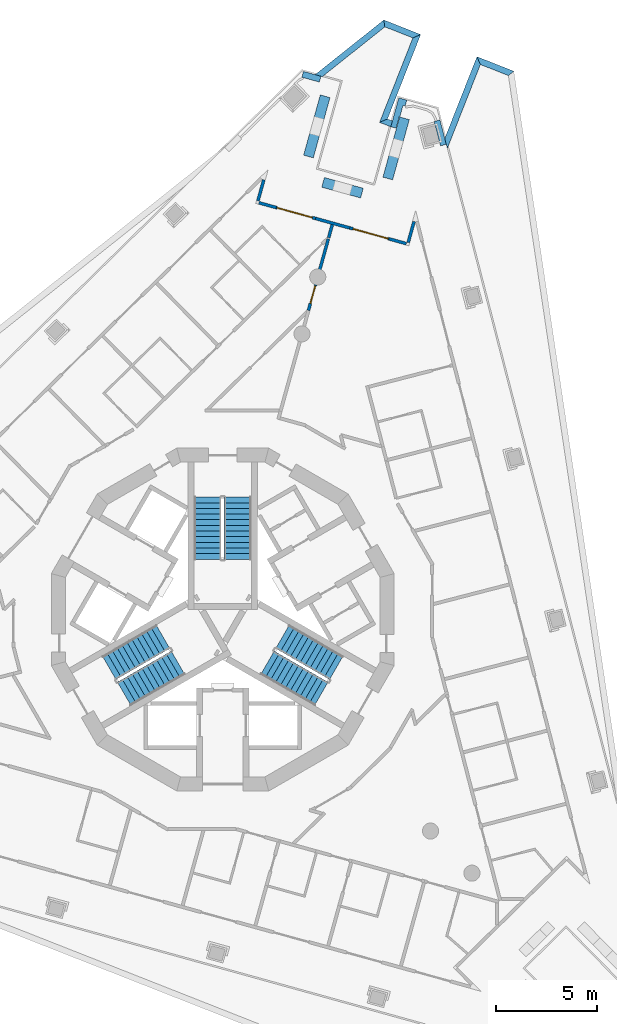
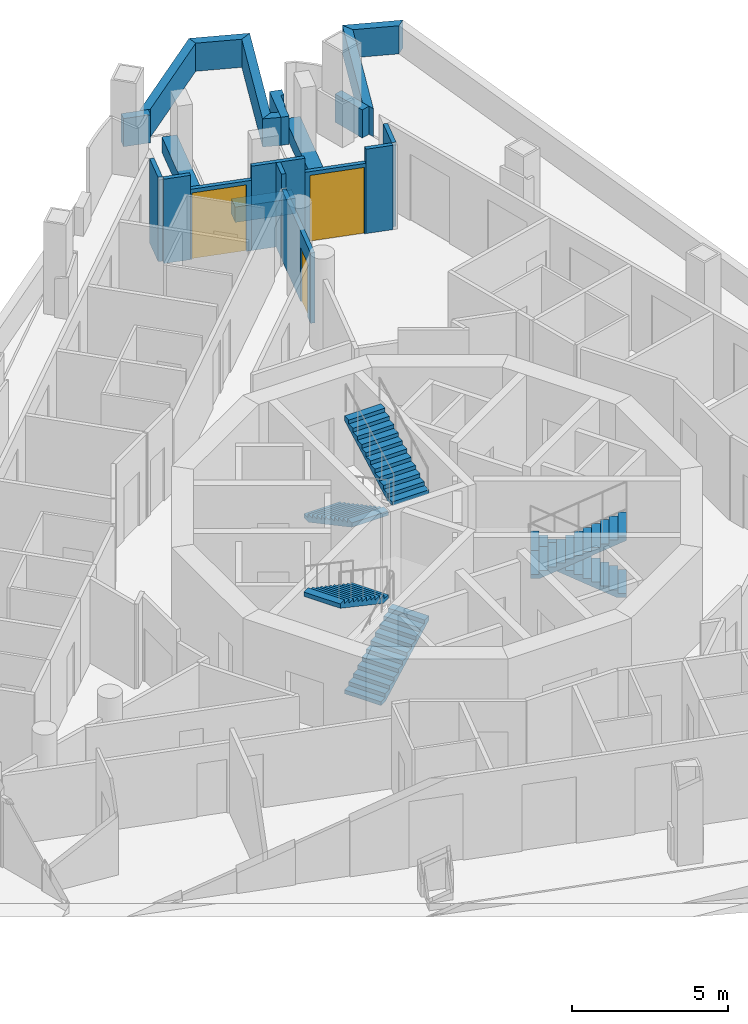
# One storey, part 9 of 14: 21 walls, 6 stair flights, 3 doors, 3 openings, 3 elements without a shape of their own.
"""IFC4 building model written with IfcOpenShell, lengths in metres."""

import ifcopenshell
import ifcopenshell.guid

model = None  # the IFC model being written
_history = None  # IfcOwnerHistory: only IFC2X3 demands one
_inside = {}  # id of a spatial element -> (the spatial element, [elements in it])
_under = {}  # id of a project, library or spatial element -> (it, [spatial elements below it])
_declared = {}  # id of a project -> (the project, [libraries it declares])
_typed = {}  # id of a type object -> (the type object, [elements of that type])
_made_of = {}  # id of a material, layer set ... -> (it, [elements and type objects made of it])


def new_model(schema):
    """Start an empty IFC model of exactly this schema.

    Asked for "IFC4X3", IfcOpenShell would pick the latest addendum, in which some entities
    have other attributes; the version numbers below select the first issue.
    IFC2X3 requires an IfcOwnerHistory on every rooted entity: one is made here for all.
    """
    global model, _history
    if schema == "IFC4X3":
        model = ifcopenshell.file(schema_version=(4, 3, 0, 0))
    else:
        model = ifcopenshell.file(schema=schema)
    _inside.clear()
    _under.clear()
    _declared.clear()
    _typed.clear()
    _made_of.clear()
    _history = None
    if model.schema == "IFC2X3":
        org = make("IfcOrganization", Name="unknown")
        user = make(
            "IfcPersonAndOrganization",
            ThePerson=make("IfcPerson", FamilyName="unknown"),
            TheOrganization=org,
        )
        app = make(
            "IfcApplication",
            ApplicationDeveloper=org,
            Version="unknown",
            ApplicationFullName="unknown",
            ApplicationIdentifier="unknown",
        )
        _history = make(
            "IfcOwnerHistory",
            OwningUser=user,
            OwningApplication=app,
            ChangeAction="ADDED",
            CreationDate=0,
        )
    return model


def make(cls, **values):
    """One entity of the class cls with the attributes given. An attribute that is None is left unset."""
    return model.create_entity(
        cls, **{name: value for name, value in values.items() if value is not None}
    )


def rooted(cls, **values):
    """An entity with a GlobalId (a new one), such as an element, a storey or a relation."""
    return make(cls, GlobalId=ifcopenshell.guid.new(), OwnerHistory=_history, **values)


def si_unit(unit_type, name, prefix=None):
    """IfcSIUnit, for example si_unit("LENGTHUNIT", "METRE", prefix="MILLI")."""
    return make("IfcSIUnit", UnitType=unit_type, Prefix=prefix, Name=name)


def assignment(units):
    """IfcUnitAssignment: the units of a project."""
    return None if units is None else make("IfcUnitAssignment", Units=units)


def point(xyz):
    """IfcCartesianPoint."""
    return None if xyz is None else make("IfcCartesianPoint", Coordinates=xyz)


def direction(xyz):
    """IfcDirection."""
    return None if xyz is None else make("IfcDirection", DirectionRatios=xyz)


def frame(location, z_axis=None, x_axis=None):
    """IfcAxis2Placement3D, a coordinate frame: its origin and axes. An axis left out is left unset."""
    return make(
        "IfcAxis2Placement3D",
        Location=point(location),
        Axis=direction(z_axis),
        RefDirection=direction(x_axis),
    )


def frame_2d(location, x_axis=None):
    """IfcAxis2Placement2D, a coordinate frame in the plane: its origin and x axis."""
    return make(
        "IfcAxis2Placement2D", Location=point(location), RefDirection=direction(x_axis)
    )


def origin():
    """The frame at (0, 0, 0) with its axes left unset."""
    return frame((0.0, 0.0, 0.0))


def place(relative_to, where):
    """IfcLocalPlacement: puts the frame where relative to a parent placement (None: the world)."""
    return make(
        "IfcLocalPlacement", PlacementRelTo=relative_to, RelativePlacement=where
    )


def context(
    kind, dimensions, precision=None, world=None, true_north=None, identifier=None
):
    """IfcGeometricRepresentationContext, for example the 3D "Model" context."""
    return make(
        "IfcGeometricRepresentationContext",
        ContextIdentifier=identifier,
        ContextType=kind,
        CoordinateSpaceDimension=dimensions,
        Precision=precision,
        WorldCoordinateSystem=world,
        TrueNorth=true_north,
    )


def subcontext(parent, identifier, kind, view, scale=None):
    """IfcGeometricRepresentationSubContext, for example "Body" below "Model"."""
    return make(
        "IfcGeometricRepresentationSubContext",
        ContextIdentifier=identifier,
        ContextType=kind,
        ParentContext=parent,
        TargetScale=scale,
        TargetView=view,
    )


def project(units=None, contexts=None):
    """IfcProject with its units and contexts."""
    return rooted(
        "IfcProject",
        Name="project",
        RepresentationContexts=contexts,
        UnitsInContext=assignment(units),
    )


def spatial(cls, under=None, at=None, **own):
    """A site, building, storey or space (cls), placed at a placement, below another one or the project."""
    s = rooted(cls, ObjectPlacement=at, **own)
    if under is not None:
        _under.setdefault(under.id(), (under, []))[1].append(s)
    return s


def polyline(points):
    """IfcPolyline through the points."""
    return make("IfcPolyline", Points=[point(p) for p in points])


def profile(cls, at=None, kind="AREA", **sizes):
    """A parametric profile (cls). Its sizes go by their IFC names, for example OverallWidth=200.0."""
    return make(cls, ProfileType=kind, Position=at, **sizes)


def rectangle(**sizes):
    """IfcRectangleProfileDef."""
    return profile("IfcRectangleProfileDef", **sizes)


def outline(outer, holes=None, kind="AREA"):
    """IfcArbitraryClosedProfileDef: a profile drawn as a closed curve; with holes, ...WithVoids."""
    if holes is None:
        return make("IfcArbitraryClosedProfileDef", ProfileType=kind, OuterCurve=outer)
    return make(
        "IfcArbitraryProfileDefWithVoids",
        ProfileType=kind,
        OuterCurve=outer,
        InnerCurves=holes,
    )


def extrude(swept, where, along, depth):
    """IfcExtrudedAreaSolid: the profile swept, set in the frame where, extruded along a direction by depth."""
    return make(
        "IfcExtrudedAreaSolid",
        SweptArea=swept,
        Position=where,
        ExtrudedDirection=direction(along),
        Depth=depth,
    )


def shape(context_of_items, identifier, shape_type, items):
    """IfcShapeRepresentation: the items that make up one representation, for example the "Body"."""
    return make(
        "IfcShapeRepresentation",
        ContextOfItems=context_of_items,
        RepresentationIdentifier=identifier,
        RepresentationType=shape_type,
        Items=items,
    )


def material(Name=None, Category=None):
    """IfcMaterial."""
    return make("IfcMaterial", Name=Name, Category=Category)


def layer(
    of_material, thickness, ventilated=None, Name=None, Category=None, Priority=None
):
    """IfcMaterialLayer: one layer of a wall or slab, of a material (None: an air gap)."""
    return make(
        "IfcMaterialLayer",
        Material=of_material,
        LayerThickness=thickness,
        IsVentilated=ventilated,
        Name=Name,
        Category=Category,
        Priority=Priority,
    )


def layer_set(layers, Name=None):
    """IfcMaterialLayerSet."""
    return make("IfcMaterialLayerSet", MaterialLayers=layers, LayerSetName=Name)


def made_of(thing, what):
    """Note that an element or type object is made of a material, layer set ...; save() writes the relation."""
    if what is not None:
        _made_of.setdefault(what.id(), (what, []))[1].append(thing)
    return thing


def type_object(cls, material=None, **own):
    """A type object (cls), such as IfcWallType, which elements share."""
    return made_of(rooted(cls, **own), material)


def element(
    cls,
    number,
    at=None,
    inside=None,
    cuts=None,
    type_object=None,
    material=None,
    context=None,
    identifier="Body",
    shape_type=None,
    held_by="IfcProductDefinitionShape",
    body=None,
    shapes=None,
    **own,
):
    """One element of the class cls, such as IfcWall. Its Tag is "e" and its number.

    at: its placement. inside: the storey or other place that contains it. cuts: it is an
    opening in that element (IfcRelVoidsElement). A single representation is given by context,
    identifier, shape_type and body (its items); several are given by shapes. held_by: the class
    of the entity that holds the representations. save() writes the other relations.
    """
    e = rooted(cls, Tag="e%d" % number, ObjectPlacement=at, **own)
    if body is not None:
        shapes = [shape(context, identifier, shape_type, body)]
    if shapes is not None:
        e.Representation = make(held_by, Representations=shapes)
    if inside is not None:
        _inside.setdefault(inside.id(), (inside, []))[1].append(e)
    if cuts is not None:
        rooted(
            "IfcRelVoidsElement", RelatingBuildingElement=cuts, RelatedOpeningElement=e
        )
    if type_object is not None:
        _typed.setdefault(type_object.id(), (type_object, []))[1].append(e)
    return made_of(e, material)


def fill(opening, filler):
    """IfcRelFillsElement: the door or window that sits in an opening."""
    return rooted(
        "IfcRelFillsElement",
        RelatingOpeningElement=opening,
        RelatedBuildingElement=filler,
    )


def aggregate(whole, parts):
    """IfcRelAggregates: a whole, such as a stair, and the parts it consists of."""
    return rooted("IfcRelAggregates", RelatingObject=whole, RelatedObjects=parts)


def save(model, path):
    """Write the relations noted so far, then the file.

    IfcRelAggregates (storeys below a building ...), IfcRelContainedInSpatialStructure (elements
    in a storey), IfcRelDefinesByType, IfcRelAssociatesMaterial and IfcRelDeclares: one each for
    every whole, place, type object, material and project.
    """
    for whole, parts in _under.values():
        aggregate(whole, parts)
    for where, things in _inside.values():
        rooted(
            "IfcRelContainedInSpatialStructure",
            RelatedElements=things,
            RelatingStructure=where,
        )
    for kind, things in _typed.values():
        rooted("IfcRelDefinesByType", RelatedObjects=things, RelatingType=kind)
    for what, things in _made_of.values():
        rooted("IfcRelAssociatesMaterial", RelatedObjects=things, RelatingMaterial=what)
    for by, libraries in _declared.values():
        rooted("IfcRelDeclares", RelatingContext=by, RelatedDefinitions=libraries)
    model.write(path)


model = new_model("IFC4")

# Units and contexts
model_context = context("Model", 3, precision=1e-05, world=origin(), true_north=direction((0.0, 1.0)))
body_context = subcontext(model_context, "Body", "Model", "MODEL_VIEW")
ifc_project = project(units=[si_unit("LENGTHUNIT", "METRE"), si_unit("AREAUNIT", "SQUARE_METRE"), si_unit("VOLUMEUNIT", "CUBIC_METRE"), si_unit("PLANEANGLEUNIT", "RADIAN"), si_unit("MASSUNIT", "GRAM", prefix="KILO")], contexts=[model_context])

# Site, building, storey
site_placement = place(None, origin())
site = spatial("IfcSite", under=ifc_project, at=site_placement, CompositionType="ELEMENT")
building_placement = place(site_placement, origin())
building = spatial("IfcBuilding", under=site, at=building_placement, Name="Trine Commons Tower", CompositionType="ELEMENT")
storey_placement = place(building_placement, frame((0.0, 0.0, 234.89990234375)))
storey = spatial("IfcBuildingStorey", under=building, at=storey_placement, Name="L61", CompositionType="ELEMENT", Elevation=234.89990234375)

# Walls
ifc_material_1 = material(Name="Aluminium-framed insulated wall panel", Category="aluminium")
ifc_layer_1 = layer(ifc_material_1, 0.14990234375)
ifc_layer_set_1 = layer_set([ifc_layer_1], Name="Aluminium-framed insulated wall panel")
wall_type_1 = type_object("IfcWallType", Name="Glazed frame wall 150, EI 60", PredefinedType="SOLIDWALL", material=ifc_layer_set_1)
wall_1_placement = place(storey_placement, frame((82.07470703125, 84.444091796875, 0.0), z_axis=(0.0, 0.0, 1.0), x_axis=(-0.267185113528, -0.963645222636, 0.0)))
element("IfcWall", 1, at=wall_1_placement, inside=storey, type_object=wall_type_1, Name="Glazed frame wall R2", PredefinedType="SOLIDWALL", context=body_context, shape_type="SweptSolid", body=[
    extrude(outline(polyline([(0.1494140625, 0.074951171875), (0.1494140625, -0.074951171875), (1.235107421875, -0.074951171875), (1.235107421875, 0.074951171875), (0.1494140625, 0.074951171875)])), origin(), (0.0, 0.0, 1.0), 3.300048828125),
])
wall_2_placement = place(storey_placement, frame((81.69091796875, 83.19091796875, 0.0), z_axis=(0.0, 0.0, 1.0), x_axis=(0.963668166343, -0.267102349627, 0.0)))
element("IfcWall", 2, at=wall_2_placement, inside=storey, type_object=wall_type_1, Name="Glazed frame wall P1.1", PredefinedType="SOLIDWALL", context=body_context, shape_type="SweptSolid", body=[
    extrude(outline(polyline([(0.110107421875, -0.074951171875), (1.0, -0.074951171875), (1.0, 0.074951171875), (0.110107421875, 0.074951171875), (0.110107421875, -0.074951171875)])), origin(), (0.0, 0.0, 1.0), 3.300048828125),
])

# Wall, opening, door
wall_3_placement = place(storey_placement, frame((82.654541015625, 82.923828125, 0.0), z_axis=(0.0, 0.0, 1.0), x_axis=(0.963623378646, -0.267263884816, 0.0)))
wall_3 = element("IfcWall", 3, at=wall_3_placement, inside=storey, type_object=wall_type_1, Name="Glazed frame wall P1.2", PredefinedType="SOLIDWALL", context=body_context, shape_type="SweptSolid", body=[
    extrude(outline(polyline([(0.0, -0.074951171875), (2.021484375, -0.074951171875), (2.021484375, 0.074951171875), (0.0, 0.074951171875), (0.0, -0.074951171875)])), origin(), (0.0, 0.0, 1.0), 2.75),
])
opening_1_placement = place(wall_3_placement, frame((0.050048828125, 0.0, 0.0)))
opening_1 = element("IfcOpeningElement", 4, at=opening_1_placement, cuts=wall_3, Name="Opening BD-7P1-01", PredefinedType="OPENING", context=body_context, shape_type="SweptSolid", body=[
    extrude(rectangle(XDim=1.800048828125, YDim=2.60009765625, at=frame_2d((0.89990234375, 1.300048828125))), frame((0.0, 0.0849609375, 0.0), z_axis=(0.0, -1.0, 0.0), x_axis=(1.0, 0.0, 0.0)), (0.0, 0.0, 1.0), 0.169921875),
])
ifc_material_2 = material(Name="Anodised aluminium frame with double glazing", Category="aluminium")
door_type_1 = type_object("IfcDoorType", Name="Sliding loggia door 1800x2600", OperationType="SLIDING_TO_LEFT", PredefinedType="DOOR", material=ifc_material_2)
door_1_placement = place(opening_1_placement, origin())
door_1 = element("IfcDoor", 5, at=door_1_placement, inside=storey, type_object=door_type_1, Name="Loggia door P1 1", OperationType="SLIDING_TO_LEFT", OverallHeight=2.60009765625, OverallWidth=1.800048828125, PredefinedType="DOOR", context=body_context, shape_type="SweptSolid", body=[
    extrude(rectangle(XDim=1.800048828125, YDim=2.60009765625, at=frame_2d((0.89990234375, 1.300048828125))), frame((0.0, 0.02490234375, 0.0), z_axis=(0.0, -1.0, 0.0), x_axis=(1.0, 0.0, 0.0)), (0.0, 0.0, 1.0), 0.050048828125),
])
fill(opening_1, door_1)

# Wall
wall_4_placement = place(storey_placement, frame((84.6025390625, 82.383544921875, 0.0), z_axis=(0.0, 0.0, 1.0), x_axis=(0.963649164221, -0.267170897174, 0.0)))
element("IfcWall", 6, at=wall_4_placement, inside=storey, type_object=wall_type_1, Name="Glazed frame wall P1.3", PredefinedType="SOLIDWALL", context=body_context, shape_type="SweptSolid", body=[
    extrude(outline(polyline([(0.0, -0.074951171875), (1.757080078125, -0.074951171875), (1.757080078125, 0.074951171875), (0.0, 0.074951171875), (0.0, -0.074951171875)])), origin(), (0.0, 0.0, 1.0), 3.300048828125),
])

# Wall, opening, door
wall_5_placement = place(storey_placement, frame((86.2958984375, 81.9140625, 0.0), z_axis=(0.0, 0.0, 1.0), x_axis=(0.963614750545, -0.267294991596, 0.0)))
wall_5 = element("IfcWall", 7, at=wall_5_placement, inside=storey, type_object=wall_type_1, Name="Glazed frame wall P1.4", PredefinedType="SOLIDWALL", context=body_context, shape_type="SweptSolid", body=[
    extrude(outline(polyline([(0.0, -0.074951171875), (2.021484375, -0.074951171875), (2.021484375, 0.074951171875), (0.0, 0.074951171875), (0.0, -0.074951171875)])), origin(), (0.0, 0.0, 1.0), 2.75),
])
opening_2_placement = place(wall_5_placement, frame((0.17138671875, 0.0, 0.0)))
opening_2 = element("IfcOpeningElement", 8, at=opening_2_placement, cuts=wall_5, Name="Opening BD-7P1-02", PredefinedType="OPENING", context=body_context, shape_type="SweptSolid", body=[
    extrude(rectangle(XDim=1.800048828125, YDim=2.60009765625, at=frame_2d((0.89990234375, 1.300048828125))), frame((0.0, 0.0849609375, 0.0), z_axis=(0.0, -1.0, 0.0), x_axis=(1.0, 0.0, 0.0)), (0.0, 0.0, 1.0), 0.169921875),
])
door_2_placement = place(opening_2_placement, origin())
door_2 = element("IfcDoor", 9, at=door_2_placement, inside=storey, type_object=door_type_1, Name="Loggia door P1 2", OperationType="SLIDING_TO_LEFT", OverallHeight=2.60009765625, OverallWidth=1.800048828125, PredefinedType="DOOR", context=body_context, shape_type="SweptSolid", body=[
    extrude(rectangle(XDim=1.800048828125, YDim=2.60009765625, at=frame_2d((0.89990234375, 1.300048828125))), frame((0.0, 0.02490234375, 0.0), z_axis=(0.0, -1.0, 0.0), x_axis=(1.0, 0.0, 0.0)), (0.0, 0.0, 1.0), 0.050048828125),
])
fill(opening_2, door_2)

# Walls
wall_6_placement = place(storey_placement, frame((88.24365234375, 81.373779296875, 0.0), z_axis=(0.0, 0.0, 1.0), x_axis=(0.963668166343, -0.267102349627, 0.0)))
element("IfcWall", 10, at=wall_6_placement, inside=storey, type_object=wall_type_1, Name="Glazed frame wall P1.5", PredefinedType="SOLIDWALL", context=body_context, shape_type="SweptSolid", body=[
    extrude(outline(polyline([(0.889892578125, 0.074951171875), (0.0, 0.074951171875), (0.0, -0.074951171875), (0.889892578125, -0.074951171875), (0.889892578125, 0.074951171875)])), origin(), (0.0, 0.0, 1.0), 3.300048828125),
])
wall_7_placement = place(storey_placement, frame((89.164306640625, 81.082275390625, 0.0), z_axis=(0.0, 0.0, 1.0), x_axis=(0.267185113528, 0.963645222636, 0.0)))
element("IfcWall", 11, at=wall_7_placement, inside=storey, type_object=wall_type_1, Name="Glazed frame wall R4", PredefinedType="SOLIDWALL", context=body_context, shape_type="SweptSolid", body=[
    extrude(outline(polyline([(0.110107421875, 0.074951171875), (0.110107421875, -0.074951171875), (1.19580078125, -0.074951171875), (1.19580078125, 0.074951171875), (0.110107421875, 0.074951171875)])), origin(), (0.0, 0.0, 1.0), 3.300048828125),
])
ifc_material_3 = material(Name="Planter trough, precast concrete C40/50", Category="concrete")
ifc_layer_2 = layer(ifc_material_3, 0.5)
ifc_layer_set_2 = layer_set([ifc_layer_2], Name="Planter trough, precast concrete C40/50")
wall_type_2 = type_object("IfcWallType", Name="Planter trough 500x600", PredefinedType="PARAPET", material=ifc_layer_set_2)
wall_8_placement = place(storey_placement, frame((85.077392578125, 88.44189453125, 0.0), z_axis=(0.0, 0.0, 1.0), x_axis=(-0.267286412249, -0.96361713031, 0.0)))
element("IfcWall", 12, at=wall_8_placement, inside=storey, type_object=wall_type_2, Name="Planter 4", PredefinedType="PARAPET", context=body_context, shape_type="SweptSolid", body=[
    extrude(rectangle(XDim=3.10009765625, YDim=0.5, at=frame_2d((1.550048828125, 0.0))), origin(), (0.0, 0.0, 1.0), 0.60009765625),
])
wall_9_placement = place(storey_placement, frame((84.97314453125, 84.174560546875, 0.0), z_axis=(0.0, 0.0, 1.0), x_axis=(0.963636738571, -0.267215710759, 0.0)))
element("IfcWall", 13, at=wall_9_placement, inside=storey, type_object=wall_type_2, Name="Planter 5", PredefinedType="PARAPET", context=body_context, shape_type="SweptSolid", body=[
    extrude(rectangle(XDim=2.0, YDim=0.5, at=frame_2d((1.0, 0.0))), origin(), (0.0, 0.0, 1.0), 0.60009765625),
])
wall_10_placement = place(storey_placement, frame((88.1806640625, 84.364501953125, 0.0), z_axis=(0.0, 0.0, 1.0), x_axis=(0.267213283561, 0.963637411628, 0.0)))
element("IfcWall", 14, at=wall_10_placement, inside=storey, type_object=wall_type_2, Name="Planter 6", PredefinedType="PARAPET", context=body_context, shape_type="SweptSolid", body=[
    extrude(rectangle(XDim=3.10009765625, YDim=0.5, at=frame_2d((1.550048828125, 0.0))), origin(), (0.0, 0.0, 1.0), 0.60009765625),
])
ifc_material_4 = material(Name="Limestone, honed", Category="masonry")
ifc_layer_3 = layer(ifc_material_4, 0.300048828125)
ifc_layer_set_3 = layer_set([ifc_layer_3], Name="Limestone, honed")
wall_type_3 = type_object("IfcWallType", Name="Stone parapet 300", PredefinedType="PARAPET", material=ifc_layer_set_3)
wall_11_placement = place(storey_placement, origin())
element("IfcWall", 15, at=wall_11_placement, inside=storey, type_object=wall_type_3, Name="Sliver roof parapet L60 4.1", PredefinedType="PARAPET", context=body_context, shape_type="SweptSolid", body=[
    extrude(outline(polyline([(88.41162109375, 87.218017578125), (88.1630859375, 87.31591796875), (87.77392578125, 87.146728515625), (88.330810546875, 86.92724609375), (88.41162109375, 87.218017578125)])), origin(), (0.0, 0.0, 1.0), 1.10009765625),
])
wall_12_placement = place(storey_placement, origin())
element("IfcWall", 16, at=wall_12_placement, inside=storey, type_object=wall_type_3, Name="Sliver roof parapet L60 4.2", PredefinedType="PARAPET", context=body_context, shape_type="SweptSolid", body=[
    extrude(outline(polyline([(88.1630859375, 87.31591796875), (89.812255859375, 91.502685546875), (89.423095703125, 91.33349609375), (87.77392578125, 87.146728515625), (88.1630859375, 87.31591796875)])), origin(), (0.0, 0.0, 1.0), 1.10009765625),
])
wall_13_placement = place(storey_placement, origin())
element("IfcWall", 17, at=wall_13_placement, inside=storey, type_object=wall_type_3, Name="Sliver roof parapet L60 4.3", PredefinedType="PARAPET", context=body_context, shape_type="SweptSolid", body=[
    extrude(outline(polyline([(89.812255859375, 91.502685546875), (87.98486328125, 92.22265625), (88.0361328125, 91.8798828125), (89.423095703125, 91.33349609375), (89.812255859375, 91.502685546875)])), origin(), (0.0, 0.0, 1.0), 1.10009765625),
])
wall_14_placement = place(storey_placement, origin())
element("IfcWall", 18, at=wall_14_placement, inside=storey, type_object=wall_type_3, Name="Sliver roof parapet L60 4.4", PredefinedType="PARAPET", context=body_context, shape_type="SweptSolid", body=[
    extrude(outline(polyline([(87.98486328125, 92.22265625), (84.57958984375, 89.513916015625), (84.93701171875, 89.414794921875), (88.0361328125, 91.8798828125), (87.98486328125, 92.22265625)])), origin(), (0.0, 0.0, 1.0), 1.10009765625),
])
wall_15_placement = place(storey_placement, origin())
element("IfcWall", 19, at=wall_15_placement, inside=storey, type_object=wall_type_3, Name="Sliver roof parapet extension L60 4.X1", PredefinedType="PARAPET", context=body_context, shape_type="SweptSolid", body=[
    extrude(outline(polyline([(88.331298828125, 86.928955078125), (88.591552734375, 86.856689453125), (88.754150390625, 87.443115234375), (88.783203125, 87.43505859375), (88.93798828125, 87.993896484375), (89.04541015625, 87.964111328125), (89.125732421875, 88.25341796875), (88.94921875, 88.30224609375), (88.740234375, 88.360107421875), (88.71875, 88.326171875), (88.331298828125, 86.928955078125)])), origin(), (0.0, 0.0, 1.0), 1.10009765625),
])
wall_16_placement = place(storey_placement, origin())
element("IfcWall", 20, at=wall_16_placement, inside=storey, type_object=wall_type_3, Name="Sliver roof parapet extension L60 4.X2", PredefinedType="PARAPET", context=body_context, shape_type="SweptSolid", body=[
    extrude(outline(polyline([(84.78857421875, 89.144775390625), (84.868896484375, 89.433837890625), (84.00146484375, 89.67431640625), (83.92138671875, 89.38525390625), (84.78857421875, 89.144775390625)])), origin(), (0.0, 0.0, 1.0), 1.10009765625),
])
wall_17_placement = place(storey_placement, origin())
element("IfcWall", 21, at=wall_17_placement, inside=storey, type_object=wall_type_3, Name="Sliver roof parapet L60 5.2", PredefinedType="PARAPET", context=body_context, shape_type="SweptSolid", body=[
    extrude(outline(polyline([(94.430908203125, 89.683349609375), (92.603515625, 90.4033203125), (92.772705078125, 90.01416015625), (94.159912109375, 89.4677734375), (94.430908203125, 89.683349609375)])), origin(), (0.0, 0.0, 1.0), 1.10009765625),
])
wall_18_placement = place(storey_placement, origin())
element("IfcWall", 22, at=wall_18_placement, inside=storey, type_object=wall_type_3, Name="Sliver roof parapet L60 5.3", PredefinedType="PARAPET", context=body_context, shape_type="SweptSolid", body=[
    extrude(outline(polyline([(92.603515625, 90.4033203125), (91.0068359375, 86.349609375), (91.134521484375, 85.85546875), (92.772705078125, 90.01416015625), (92.603515625, 90.4033203125)])), origin(), (0.0, 0.0, 1.0), 1.10009765625),
])
wall_19_placement = place(storey_placement, origin())
element("IfcWall", 23, at=wall_19_placement, inside=storey, type_object=wall_type_3, Name="Sliver roof parapet extension L60 5.X2", PredefinedType="PARAPET", context=body_context, shape_type="SweptSolid", body=[
    extrude(outline(polyline([(90.79150390625, 85.98388671875), (91.081787109375, 86.05908203125), (90.76904296875, 87.269287109375), (90.478515625, 87.194091796875), (90.79150390625, 85.98388671875)])), origin(), (0.0, 0.0, 1.0), 1.10009765625),
])

# Wall, opening, door
ifc_material_5 = material(Name="Gypsum plasterboard on steel stud", Category="steel")
ifc_layer_4 = layer(ifc_material_5, 0.14990234375)
ifc_layer_set_4 = layer_set([ifc_layer_4], Name="Gypsum plasterboard on steel stud")
wall_type_4 = type_object("IfcWallType", Name="Unit and corridor wall 150 mm, EI 60", PredefinedType="PARTITIONING", material=ifc_layer_set_4)
wall_20_placement = place(storey_placement, frame((84.25, 77.826904296875, 0.0), z_axis=(0.0, 0.0, 1.0), x_axis=(0.267414329718, 0.963581639645, 0.0)))
wall_20 = element("IfcWall", 24, at=wall_20_placement, inside=storey, type_object=wall_type_4, Name="Partition 068", PredefinedType="PARTITIONING", context=body_context, shape_type="SweptSolid", body=[
    extrude(rectangle(XDim=3.675537109375, YDim=0.14990234375, at=frame_2d((1.837890625, 0.0))), origin(), (0.0, 0.0, 1.0), 2.75),
])
opening_3_placement = place(wall_20_placement, frame((0.357421875, 0.0, 0.0)))
opening_3 = element("IfcOpeningElement", 25, at=opening_3_placement, cuts=wall_20, Name="Opening D-7A01", PredefinedType="OPENING", context=body_context, shape_type="SweptSolid", body=[
    extrude(rectangle(XDim=0.89990234375, YDim=2.10009765625, at=frame_2d((0.449951171875, 1.050048828125))), frame((0.0, 0.0849609375, 0.0), z_axis=(0.0, -1.0, 0.0), x_axis=(1.0, 0.0, 0.0)), (0.0, 0.0, 1.0), 0.169921875),
])
ifc_material_6 = material(Name="Timber fire door set", Category="wood")
door_type_2 = type_object("IfcDoorType", Name="Cluster entrance door 900 x 2100, FD30S", OperationType="NOTDEFINED", PredefinedType="DOOR", material=ifc_material_6)
door_3_placement = place(opening_3_placement, frame((0.89990234375, 0.0, 0.0), z_axis=(0.0, 0.0, 1.0), x_axis=(-1.0, 0.0, 0.0)))
door_3 = element("IfcDoor", 26, at=door_3_placement, inside=storey, type_object=door_type_2, Name="Door D-7A01", OperationType="SINGLE_SWING_RIGHT", OverallHeight=2.10009765625, OverallWidth=0.89990234375, PredefinedType="DOOR", context=body_context, shape_type="SweptSolid", body=[
    extrude(rectangle(XDim=0.89990234375, YDim=2.10009765625, at=frame_2d((0.449951171875, 1.050048828125))), frame((0.0, 0.02490234375, 0.0), z_axis=(0.0, -1.0, 0.0), x_axis=(1.0, 0.0, 0.0)), (0.0, 0.0, 1.0), 0.050048828125),
])
fill(opening_3, door_3)

# Wall
wall_21_placement = place(storey_placement, frame((85.25, 81.429931640625, 0.0), z_axis=(0.0, 0.0, 1.0), x_axis=(0.267118275652, 0.963663751945, 0.0)))
element("IfcWall", 27, at=wall_21_placement, inside=storey, type_object=wall_type_4, Name="Partition 073", PredefinedType="PARTITIONING", context=body_context, shape_type="SweptSolid", body=[
    extrude(rectangle(XDim=0.6708984375, YDim=0.14990234375, at=frame_2d((0.33544921875, 0.0))), origin(), (0.0, 0.0, 1.0), 3.300048828125),
])

# Stair, stair flights
ifc_material_7 = material(Name="Concrete C50/60", Category="concrete")
stair_type = type_object("IfcStairType", Name="Exit stair, dog-leg, 24 risers of 150 mm", PredefinedType="HALF_TURN_STAIR", material=ifc_material_7)
stair_1_placement = place(storey_placement, origin())
stair_1 = element("IfcStair", 28, at=stair_1_placement, inside=storey, type_object=stair_type, Name="L61 Exit stair ST1C", PredefinedType="HALF_TURN_STAIR")
stair_flight_type = type_object("IfcStairFlightType", Name="Stair flight, 1350 wide, 12 risers of 150 mm", PredefinedType="STRAIGHT", material=ifc_material_7)
stair_flight_1_placement = place(storey_placement, frame((79.25, 68.570556640625, 0.0), z_axis=(0.0, 0.0, 1.0), x_axis=(0.0, -1.0, 0.0)))
stair_flight_1 = element("IfcStairFlight", 29, at=stair_flight_1_placement, type_object=stair_flight_type, Name="ST1C flight 1", NumberOfRisers=12, NumberOfTreads=11, PredefinedType="STRAIGHT", RiserHeight=0.15, TreadLength=0.28, context=body_context, shape_type="SweptSolid", body=[
    extrude(outline(polyline([(0.0, 0.0), (0.0, 0.14990234375), (0.280029296875, 0.14990234375), (0.280029296875, 0.300048828125), (0.56005859375, 0.300048828125), (0.56005859375, 0.449951171875), (0.840087890625, 0.449951171875), (0.840087890625, 0.60009765625), (1.1201171875, 0.60009765625), (1.1201171875, 0.75), (1.39990234375, 0.75), (1.39990234375, 0.89990234375), (1.679931640625, 0.89990234375), (1.679931640625, 1.050048828125), (1.9599609375, 1.050048828125), (1.9599609375, 1.199951171875), (2.239990234375, 1.199951171875), (2.239990234375, 1.35009765625), (2.52001953125, 1.35009765625), (2.52001953125, 1.5), (2.800048828125, 1.5), (2.800048828125, 1.64990234375), (3.080078125, 1.64990234375), (3.080078125, 1.800048828125), (3.080078125, 1.47998046875), (0.3173828125, 0.0), (0.0, 0.0)])), frame((0.0, 0.675048828125, 0.0), z_axis=(0.0, -1.0, 0.0), x_axis=(1.0, 0.0, 0.0)), (0.0, 0.0, 1.0), 1.35009765625),
])
stair_flight_2_placement = place(storey_placement, frame((80.75, 65.490478515625, 1.800048828125), z_axis=(0.0, 0.0, 1.0), x_axis=(0.0, 1.0, 0.0)))
stair_flight_2 = element("IfcStairFlight", 30, at=stair_flight_2_placement, type_object=stair_flight_type, Name="ST1C flight 2", NumberOfRisers=12, NumberOfTreads=11, PredefinedType="STRAIGHT", RiserHeight=0.15, TreadLength=0.28, context=body_context, shape_type="SweptSolid", body=[
    extrude(outline(polyline([(0.0, 0.0), (0.0, 0.14990234375), (0.280029296875, 0.14990234375), (0.280029296875, 0.300048828125), (0.56005859375, 0.300048828125), (0.56005859375, 0.449951171875), (0.840087890625, 0.449951171875), (0.840087890625, 0.60009765625), (1.1201171875, 0.60009765625), (1.1201171875, 0.75), (1.39990234375, 0.75), (1.39990234375, 0.89990234375), (1.679931640625, 0.89990234375), (1.679931640625, 1.050048828125), (1.9599609375, 1.050048828125), (1.9599609375, 1.199951171875), (2.239990234375, 1.199951171875), (2.239990234375, 1.35009765625), (2.52001953125, 1.35009765625), (2.52001953125, 1.5), (2.800048828125, 1.5), (2.800048828125, 1.64990234375), (3.080078125, 1.64990234375), (3.080078125, 1.800048828125), (3.080078125, 1.47998046875), (0.3173828125, 0.0), (0.0, 0.0)])), frame((0.0, 0.675048828125, 0.0), z_axis=(0.0, -1.0, 0.0), x_axis=(1.0, 0.0, 0.0)), (0.0, 0.0, 1.0), 1.35009765625),
])
aggregate(stair_1, [stair_flight_1, stair_flight_2])

stair_2_placement = place(storey_placement, origin())
stair_2 = element("IfcStair", 31, at=stair_2_placement, inside=storey, type_object=stair_type, Name="L61 Exit stair ST2C", PredefinedType="HALF_TURN_STAIR")
stair_flight_3_placement = place(storey_placement, frame((75.11767578125, 58.815185546875, 0.0), z_axis=(0.0, 0.0, 1.0), x_axis=(0.866025403784, 0.5, 0.0)))
stair_flight_3 = element("IfcStairFlight", 32, at=stair_flight_3_placement, type_object=stair_flight_type, Name="ST2C flight 1", NumberOfRisers=12, NumberOfTreads=11, PredefinedType="STRAIGHT", RiserHeight=0.15, TreadLength=0.28, context=body_context, shape_type="SweptSolid", body=[
    extrude(outline(polyline([(0.0, 0.0), (0.0, 0.14990234375), (0.280029296875, 0.14990234375), (0.280029296875, 0.300048828125), (0.56005859375, 0.300048828125), (0.56005859375, 0.449951171875), (0.840087890625, 0.449951171875), (0.840087890625, 0.60009765625), (1.1201171875, 0.60009765625), (1.1201171875, 0.75), (1.39990234375, 0.75), (1.39990234375, 0.89990234375), (1.679931640625, 0.89990234375), (1.679931640625, 1.050048828125), (1.9599609375, 1.050048828125), (1.9599609375, 1.199951171875), (2.239990234375, 1.199951171875), (2.239990234375, 1.35009765625), (2.52001953125, 1.35009765625), (2.52001953125, 1.5), (2.800048828125, 1.5), (2.800048828125, 1.64990234375), (3.080078125, 1.64990234375), (3.080078125, 1.800048828125), (3.080078125, 1.47998046875), (0.3173828125, 0.0), (0.0, 0.0)])), frame((0.0, 0.675048828125, 0.0), z_axis=(0.0, -1.0, 0.0), x_axis=(1.0, 0.0, 0.0)), (0.0, 0.0, 1.0), 1.35009765625),
])
stair_flight_4_placement = place(storey_placement, frame((77.03515625, 61.654296875, 1.800048828125), z_axis=(0.0, 0.0, 1.0), x_axis=(-0.866025403784, -0.5, 0.0)))
stair_flight_4 = element("IfcStairFlight", 33, at=stair_flight_4_placement, type_object=stair_flight_type, Name="ST2C flight 2", NumberOfRisers=12, NumberOfTreads=11, PredefinedType="STRAIGHT", RiserHeight=0.15, TreadLength=0.28, context=body_context, shape_type="SweptSolid", body=[
    extrude(outline(polyline([(0.0, 0.0), (0.0, 0.14990234375), (0.280029296875, 0.14990234375), (0.280029296875, 0.300048828125), (0.56005859375, 0.300048828125), (0.56005859375, 0.449951171875), (0.840087890625, 0.449951171875), (0.840087890625, 0.60009765625), (1.1201171875, 0.60009765625), (1.1201171875, 0.75), (1.39990234375, 0.75), (1.39990234375, 0.89990234375), (1.679931640625, 0.89990234375), (1.679931640625, 1.050048828125), (1.9599609375, 1.050048828125), (1.9599609375, 1.199951171875), (2.239990234375, 1.199951171875), (2.239990234375, 1.35009765625), (2.52001953125, 1.35009765625), (2.52001953125, 1.5), (2.800048828125, 1.5), (2.800048828125, 1.64990234375), (3.080078125, 1.64990234375), (3.080078125, 1.800048828125), (3.080078125, 1.47998046875), (0.3173828125, 0.0), (0.0, 0.0)])), frame((0.0, 0.675048828125, 0.0), z_axis=(0.0, -1.0, 0.0), x_axis=(1.0, 0.0, 0.0)), (0.0, 0.0, 1.0), 1.35009765625),
])
aggregate(stair_2, [stair_flight_3, stair_flight_4])

stair_3_placement = place(storey_placement, origin())
stair_3 = element("IfcStair", 34, at=stair_3_placement, inside=storey, type_object=stair_type, Name="L61 Exit stair ST3C", PredefinedType="HALF_TURN_STAIR")
stair_flight_5_placement = place(storey_placement, frame((85.63232421875, 60.1142578125, 0.0), z_axis=(0.0, 0.0, 1.0), x_axis=(-0.866025403784, 0.5, 0.0)))
stair_flight_5 = element("IfcStairFlight", 35, at=stair_flight_5_placement, type_object=stair_flight_type, Name="ST3C flight 1", NumberOfRisers=12, NumberOfTreads=11, PredefinedType="STRAIGHT", RiserHeight=0.15, TreadLength=0.28, context=body_context, shape_type="SweptSolid", body=[
    extrude(outline(polyline([(0.0, 0.0), (0.0, 0.14990234375), (0.280029296875, 0.14990234375), (0.280029296875, 0.300048828125), (0.56005859375, 0.300048828125), (0.56005859375, 0.449951171875), (0.840087890625, 0.449951171875), (0.840087890625, 0.60009765625), (1.1201171875, 0.60009765625), (1.1201171875, 0.75), (1.39990234375, 0.75), (1.39990234375, 0.89990234375), (1.679931640625, 0.89990234375), (1.679931640625, 1.050048828125), (1.9599609375, 1.050048828125), (1.9599609375, 1.199951171875), (2.239990234375, 1.199951171875), (2.239990234375, 1.35009765625), (2.52001953125, 1.35009765625), (2.52001953125, 1.5), (2.800048828125, 1.5), (2.800048828125, 1.64990234375), (3.080078125, 1.64990234375), (3.080078125, 1.800048828125), (3.080078125, 1.47998046875), (0.3173828125, 0.0), (0.0, 0.0)])), frame((0.0, 0.675048828125, 0.0), z_axis=(0.0, -1.0, 0.0), x_axis=(1.0, 0.0, 0.0)), (0.0, 0.0, 1.0), 1.35009765625),
])
stair_flight_6_placement = place(storey_placement, frame((82.21484375, 60.355224609375, 1.800048828125), z_axis=(0.0, 0.0, 1.0), x_axis=(0.866025403784, -0.5, 0.0)))
stair_flight_6 = element("IfcStairFlight", 36, at=stair_flight_6_placement, type_object=stair_flight_type, Name="ST3C flight 2", NumberOfRisers=12, NumberOfTreads=11, PredefinedType="STRAIGHT", RiserHeight=0.15, TreadLength=0.28, context=body_context, shape_type="SweptSolid", body=[
    extrude(outline(polyline([(0.0, 0.0), (0.0, 0.14990234375), (0.280029296875, 0.14990234375), (0.280029296875, 0.300048828125), (0.56005859375, 0.300048828125), (0.56005859375, 0.449951171875), (0.840087890625, 0.449951171875), (0.840087890625, 0.60009765625), (1.1201171875, 0.60009765625), (1.1201171875, 0.75), (1.39990234375, 0.75), (1.39990234375, 0.89990234375), (1.679931640625, 0.89990234375), (1.679931640625, 1.050048828125), (1.9599609375, 1.050048828125), (1.9599609375, 1.199951171875), (2.239990234375, 1.199951171875), (2.239990234375, 1.35009765625), (2.52001953125, 1.35009765625), (2.52001953125, 1.5), (2.800048828125, 1.5), (2.800048828125, 1.64990234375), (3.080078125, 1.64990234375), (3.080078125, 1.800048828125), (3.080078125, 1.47998046875), (0.3173828125, 0.0), (0.0, 0.0)])), frame((0.0, 0.675048828125, 0.0), z_axis=(0.0, -1.0, 0.0), x_axis=(1.0, 0.0, 0.0)), (0.0, 0.0, 1.0), 1.35009765625),
])
aggregate(stair_3, [stair_flight_5, stair_flight_6])

save(model, "model.ifc")
